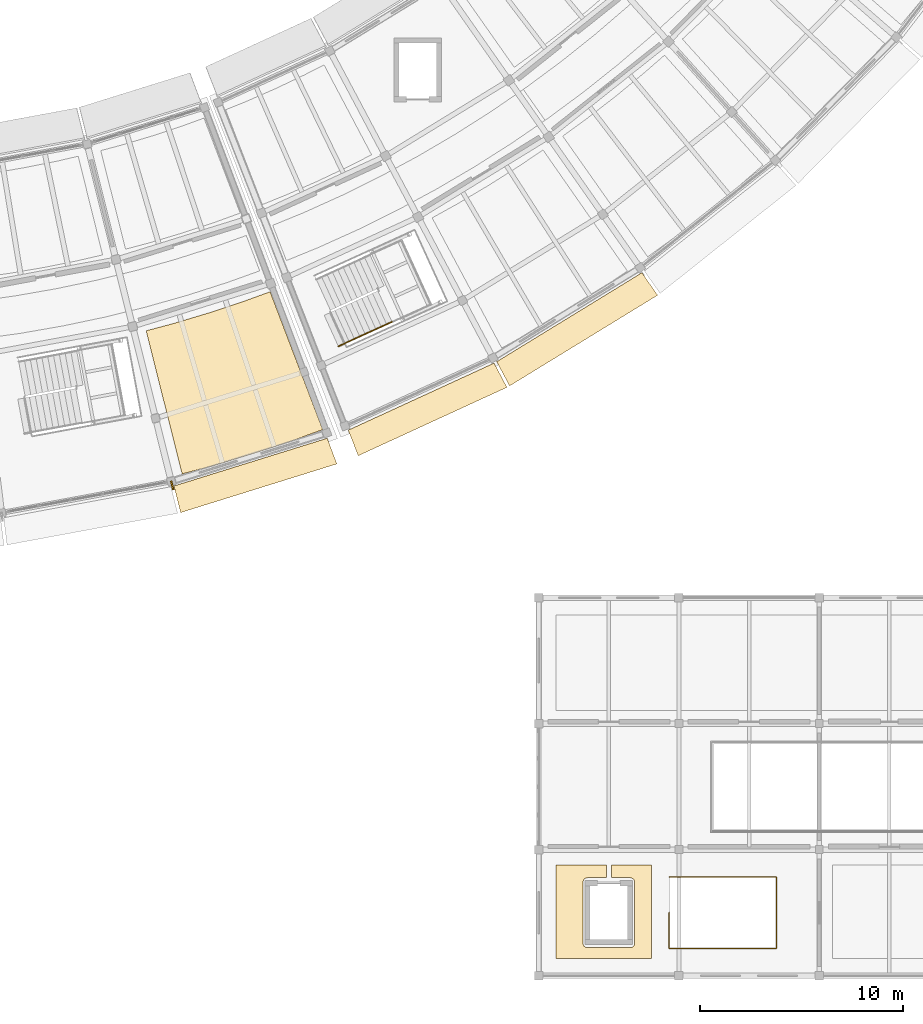
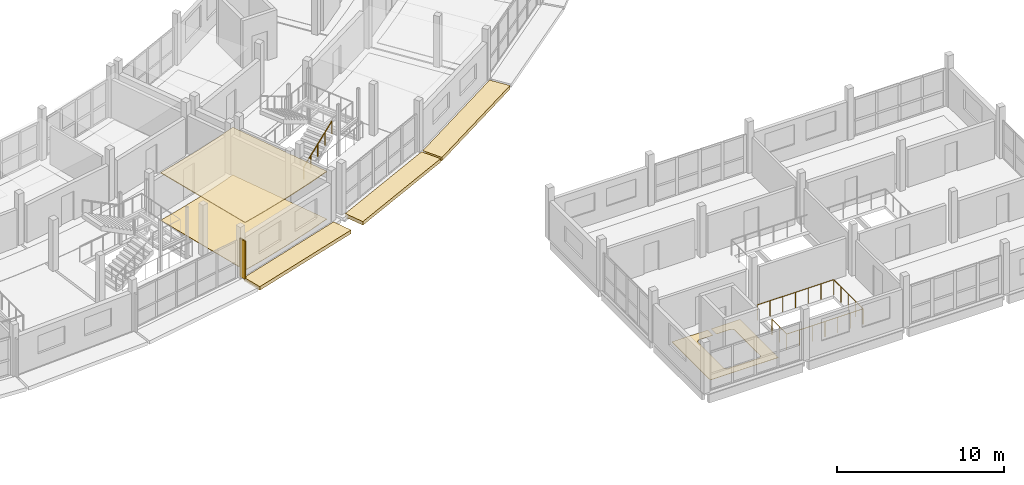
# One storey, part 71 of 77: 6 coverings, 2 railings, 1 shading device.
"""IFC4 building model written with IfcOpenShell, lengths in metres."""

from ifc_helpers import new_model, si_unit, direction, frame, origin, origin_2d, place, context, subcontext, project, spatial, polyline, rectangle, circle, outline, extrude, material, layer, layer_set, type_object, element, save


model = new_model("IFC4")

# Units and contexts
model_context = context("Model", 3, precision=1e-05, world=origin(), true_north=direction((0.0, 1.0)))
body_context = subcontext(model_context, "Body", "Model", "MODEL_VIEW")
ifc_project = project(units=[si_unit("LENGTHUNIT", "METRE"), si_unit("AREAUNIT", "SQUARE_METRE"), si_unit("VOLUMEUNIT", "CUBIC_METRE"), si_unit("PLANEANGLEUNIT", "RADIAN"), si_unit("MASSUNIT", "GRAM", prefix="KILO")], contexts=[model_context])

# Site, building, storey
site_placement = place(None, origin())
site = spatial("IfcSite", under=ifc_project, at=site_placement, CompositionType="ELEMENT")
building_placement = place(site_placement, origin())
building = spatial("IfcBuilding", under=site, at=building_placement, Name="Caldaven Crescent School", CompositionType="ELEMENT")
storey_placement = place(building_placement, frame((0.0, 0.0, 4.419921875)))
storey = spatial("IfcBuildingStorey", under=building, at=storey_placement, Name="L01", CompositionType="ELEMENT", Elevation=4.419921875)

# Coverings
ifc_material_1 = material(Name="White architectural GFRC precast concrete C35/45 cladding", Category="concrete")
ifc_layer_1 = layer(ifc_material_1, 0.260009765625)
ifc_layer_set_1 = layer_set([ifc_layer_1], Name="White architectural GFRC precast concrete C35/45 cladding")
covering_type_1 = type_object("IfcCoveringType", Name="COV-CLD1", PredefinedType="CLADDING", material=ifc_layer_set_1)
covering_1_placement = place(storey_placement, frame((0.0, 0.0, -0.260009765625)))
element("IfcCovering", 1, at=covering_1_placement, inside=storey, type_object=covering_type_1, Name="CLD-OUT-L01-022", PredefinedType="CLADDING", context=body_context, shape_type="SweptSolid", body=[
    extrude(outline(polyline([(104.95703125, 28.291015625), (112.496337890625, 30.6396484375), (112.97021484375, 29.37548828125), (105.284912109375, 26.9814453125), (104.95703125, 28.291015625)])), origin(), (0.0, 0.0, 1.0), 0.260009765625),
])
ifc_layer_2 = layer(ifc_material_1, 0.260009765625)
ifc_layer_set_2 = layer_set([ifc_layer_2], Name="White architectural GFRC precast concrete C35/45 cladding")
covering_type_2 = type_object("IfcCoveringType", Name="COV-CLD2", PredefinedType="CLADDING", material=ifc_layer_set_2)
covering_2_placement = place(storey_placement, frame((0.0, 0.0, -0.260009765625)))
element("IfcCovering", 2, at=covering_2_placement, inside=storey, type_object=covering_type_2, Name="CLD-OUT-L01-024", PredefinedType="CLADDING", context=body_context, shape_type="SweptSolid", body=[
    extrude(outline(polyline([(113.5302734375, 31.03662109375), (120.70458984375, 34.3359375), (121.337158203125, 33.143310546875), (114.02392578125, 29.780029296875), (113.5302734375, 31.03662109375)])), origin(), (0.0, 0.0, 1.0), 0.260009765625),
])
covering_3_placement = place(storey_placement, frame((0.0, 0.0, -0.260009765625)))
element("IfcCovering", 3, at=covering_3_placement, inside=storey, type_object=covering_type_2, Name="CLD-OUT-L01-026", PredefinedType="CLADDING", context=body_context, shape_type="SweptSolid", body=[
    extrude(outline(polyline([(120.833740234375, 34.404541015625), (127.975830078125, 38.78125), (128.7490234375, 37.674560546875), (121.46875, 33.21337890625), (120.833740234375, 34.404541015625)])), origin(), (0.0, 0.0, 1.0), 0.260009765625),
])
ifc_material_2 = material(Name="Perforated Pino Radiata acoustic timber baffle ceiling", Category="wood")
ifc_layer_3 = layer(ifc_material_2, 0.053955078125)
ifc_layer_set_3 = layer_set([ifc_layer_3], Name="Perforated Pino Radiata acoustic timber baffle ceiling")
covering_type_3 = type_object("IfcCoveringType", Name="COV-CLG4", PredefinedType="CEILING", material=ifc_layer_set_3)
covering_4_placement = place(storey_placement, frame((0.0, 0.0, 3.466064453125)))
element("IfcCovering", 4, at=covering_4_placement, inside=storey, type_object=covering_type_3, Name="CLG-L01-131", PredefinedType="CEILING", context=body_context, shape_type="SweptSolid", body=[
    extrude(outline(polyline([(104.910400390625, 36.278076171875), (104.923095703125, 36.281494140625), (106.658447265625, 36.80078125), (106.671142578125, 36.804931640625), (108.390380859375, 37.375), (108.40283203125, 37.379150390625), (109.68798828125, 37.84765625), (112.274169921875, 31.06396484375), (110.7822265625, 30.520263671875), (108.847900390625, 29.87890625), (106.8955078125, 29.294677734375), (105.361572265625, 28.884521484375), (103.589111328125, 35.924560546875), (104.910400390625, 36.278076171875)])), origin(), (0.0, 0.0, 1.0), 0.053955078125),
])
ifc_material_3 = material(Name="Polished terrazzo and acoustic linoleum flooring")
ifc_layer_4 = layer(ifc_material_3, 0.02001953125)
ifc_layer_set_4 = layer_set([ifc_layer_4], Name="Polished terrazzo and acoustic linoleum flooring")
covering_type_4 = type_object("IfcCoveringType", Name="COV-FLR1", PredefinedType="FLOORING", material=ifc_layer_set_4)
covering_5_placement = place(storey_placement, origin())
element("IfcCovering", 5, at=covering_5_placement, inside=storey, type_object=covering_type_4, Name="FLR-L01-036", PredefinedType="FLOORING", context=body_context, shape_type="SweptSolid", body=[
    extrude(outline(polyline([(126.22998046875, 9.64990234375), (126.22998046875, 9.02001953125), (125.300048828125, 9.02001953125), (125.2783203125, 9.018798828125), (125.257080078125, 9.015869140625), (125.236083984375, 9.010498046875), (125.2158203125, 9.00341796875), (125.1962890625, 8.993896484375), (125.177734375, 8.98291015625), (125.160400390625, 8.97021484375), (125.144287109375, 8.95556640625), (125.1298828125, 8.939697265625), (125.1171875, 8.922119140625), (125.10595703125, 8.90380859375), (125.0966796875, 8.88427734375), (125.089599609375, 8.864013671875), (125.084228515625, 8.843017578125), (125.0810546875, 8.821533203125), (125.080078125, 8.800048828125), (125.080078125, 5.800048828125), (125.0810546875, 5.7783203125), (125.084228515625, 5.757080078125), (125.089599609375, 5.736083984375), (125.0966796875, 5.7158203125), (125.10595703125, 5.6962890625), (125.1171875, 5.677734375), (125.1298828125, 5.660400390625), (125.144287109375, 5.644287109375), (125.160400390625, 5.6298828125), (125.177734375, 5.6171875), (125.1962890625, 5.60595703125), (125.2158203125, 5.5966796875), (125.236083984375, 5.589599609375), (125.257080078125, 5.584228515625), (125.2783203125, 5.5810546875), (125.300048828125, 5.580078125), (127.39990234375, 5.580078125), (127.421630859375, 5.5810546875), (127.44287109375, 5.584228515625), (127.4638671875, 5.589599609375), (127.484130859375, 5.5966796875), (127.503662109375, 5.60595703125), (127.522216796875, 5.6171875), (127.53955078125, 5.6298828125), (127.5556640625, 5.644287109375), (127.570068359375, 5.660400390625), (127.5830078125, 5.677734375), (127.593994140625, 5.6962890625), (127.603271484375, 5.7158203125), (127.610595703125, 5.736083984375), (127.61572265625, 5.757080078125), (127.618896484375, 5.7783203125), (127.6201171875, 5.800048828125), (127.6201171875, 8.800048828125), (127.618896484375, 8.821533203125), (127.61572265625, 8.843017578125), (127.610595703125, 8.864013671875), (127.603271484375, 8.88427734375), (127.593994140625, 8.90380859375), (127.5830078125, 8.922119140625), (127.570068359375, 8.939697265625), (127.5556640625, 8.95556640625), (127.53955078125, 8.97021484375), (127.522216796875, 8.98291015625), (127.503662109375, 8.993896484375), (127.484130859375, 9.00341796875), (127.4638671875, 9.010498046875), (127.44287109375, 9.015869140625), (127.421630859375, 9.018798828125), (127.39990234375, 9.02001953125), (126.469970703125, 9.02001953125), (126.469970703125, 9.64990234375), (128.449951171875, 9.64990234375), (128.449951171875, 5.050048828125), (123.75, 5.050048828125), (123.75, 9.64990234375), (126.22998046875, 9.64990234375)])), origin(), (0.0, 0.0, 1.0), 0.02001953125),
])
ifc_layer_5 = layer(ifc_material_3, 0.031982421875)
ifc_layer_set_5 = layer_set([ifc_layer_5], Name="Polished terrazzo and acoustic linoleum flooring")
covering_type_5 = type_object("IfcCoveringType", Name="COV-FLR3", PredefinedType="FLOORING", material=ifc_layer_set_5)
covering_6_placement = place(storey_placement, origin())
element("IfcCovering", 6, at=covering_6_placement, inside=storey, type_object=covering_type_5, Name="FLR-L01-131", PredefinedType="FLOORING", context=body_context, shape_type="SweptSolid", body=[
    extrude(outline(polyline([(103.589111328125, 35.924560546875), (104.910400390625, 36.278076171875), (104.923095703125, 36.281494140625), (106.658447265625, 36.80078125), (106.671142578125, 36.804931640625), (108.390380859375, 37.375), (108.40283203125, 37.379150390625), (109.68798828125, 37.84765625), (112.274169921875, 31.06396484375), (110.7822265625, 30.520263671875), (108.847900390625, 29.87890625), (106.8955078125, 29.294677734375), (105.361572265625, 28.884521484375), (103.589111328125, 35.924560546875)])), origin(), (0.0, 0.0, 1.0), 0.031982421875),
])

# Railings
ifc_material_4 = material(Name="Brushed stainless-steel continuous tubular handrail", Category="steel")
railing_type_1 = type_object("IfcRailingType", Name="RAL-HR3", PredefinedType="HANDRAIL", material=ifc_material_4)
railing_1_placement = place(storey_placement, frame((113.043701171875, 35.162841796875, 0.173095703125)))
element("IfcRailing", 7, at=railing_1_placement, inside=storey, type_object=railing_type_1, Name="HR-ST4-L01-F1", PredefinedType="HANDRAIL", context=body_context, shape_type="SweptSolid", body=[
    extrude(circle(Radius=0.02392578125, at=origin_2d()), frame((0.0, 0.0, 0.89599609375), z_axis=(0.785048939612, 0.357698772096, 0.505717066011), x_axis=(-0.414627358551, 0.909991293113, 0.0)), (0.0, 0.0, 1.0), 3.361572265625),
    extrude(circle(Radius=0.02099609375, at=origin_2d()), origin(), (0.0, 0.0, 1.0), 0.871826171875),
    extrude(circle(Radius=0.02099609375, at=origin_2d()), frame((0.65966796875, 0.300537109375, 0.425048828125)), (0.0, 0.0, 1.0), 0.871826171875),
    extrude(circle(Radius=0.02099609375, at=origin_2d()), frame((1.3193359375, 0.60107421875, 0.85009765625)), (0.0, 0.0, 1.0), 0.871826171875),
    extrude(circle(Radius=0.02099609375, at=origin_2d()), frame((1.979248046875, 0.90185546875, 1.27490234375)), (0.0, 0.0, 1.0), 0.871826171875),
    extrude(circle(Radius=0.02099609375, at=origin_2d()), frame((2.638916015625, 1.202392578125, 1.699951171875)), (0.0, 0.0, 1.0), 0.871826171875),
])
ifc_material_5 = material(Name="Powder-coated tubular steel balustrade ASTM A572 Grade 50", Category="steel")
railing_type_2 = type_object("IfcRailingType", Name="RAL-INT3", PredefinedType="BALUSTRADE", material=ifc_material_5)
railing_2_placement = place(storey_placement, frame((129.318115234375, 7.320068359375, 0.0)))
element("IfcRailing", 8, at=railing_2_placement, inside=storey, type_object=railing_type_2, Name="GD-WELL-STV3-L01", PredefinedType="BALUSTRADE", context=body_context, shape_type="SweptSolid", body=[
    extrude(circle(Radius=0.02392578125, at=origin_2d()), frame((0.0, 0.0, 1.1259765625), z_axis=(0.0, -1.0, 0.0), x_axis=(1.0, 0.0, 0.0)), (0.0, 0.0, 1.0), 1.780029296875),
    extrude(circle(Radius=0.02392578125, at=origin_2d()), frame((0.0, -1.780029296875, 1.1259765625), z_axis=(1.0, 0.0, 0.0), x_axis=(0.0, 1.0, 0.0)), (0.0, 0.0, 1.0), 5.27197265625),
    extrude(circle(Radius=0.02392578125, at=origin_2d()), frame((5.27197265625, -1.780029296875, 1.1259765625), z_axis=(0.0, 1.0, 0.0), x_axis=(-1.0, 0.0, 0.0)), (0.0, 0.0, 1.0), 3.52001953125),
    extrude(circle(Radius=0.02392578125, at=origin_2d()), frame((5.27197265625, 1.739990234375, 1.1259765625), z_axis=(-1.0, 0.0, 0.0), x_axis=(0.0, -1.0, 0.0)), (0.0, 0.0, 1.0), 5.27197265625),
    extrude(circle(Radius=0.02099609375, at=origin_2d()), origin(), (0.0, 0.0, 1.0), 1.101806640625),
    extrude(circle(Radius=0.02099609375, at=origin_2d()), frame((0.0, -0.89013671875, 0.0)), (0.0, 0.0, 1.0), 1.101806640625),
    extrude(circle(Radius=0.02099609375, at=origin_2d()), frame((0.0, -1.780029296875, 0.0)), (0.0, 0.0, 1.0), 1.101806640625),
    extrude(circle(Radius=0.02099609375, at=origin_2d()), frame((0.878662109375, -1.780029296875, 0.0)), (0.0, 0.0, 1.0), 1.101806640625),
    extrude(circle(Radius=0.02099609375, at=origin_2d()), frame((1.75732421875, -1.780029296875, 0.0)), (0.0, 0.0, 1.0), 1.101806640625),
    extrude(circle(Radius=0.02099609375, at=origin_2d()), frame((2.635986328125, -1.780029296875, 0.0)), (0.0, 0.0, 1.0), 1.101806640625),
    extrude(circle(Radius=0.02099609375, at=origin_2d()), frame((3.5146484375, -1.780029296875, 0.0)), (0.0, 0.0, 1.0), 1.101806640625),
    extrude(circle(Radius=0.02099609375, at=origin_2d()), frame((4.393310546875, -1.780029296875, 0.0)), (0.0, 0.0, 1.0), 1.101806640625),
    extrude(circle(Radius=0.02099609375, at=origin_2d()), frame((5.27197265625, -1.780029296875, 0.0)), (0.0, 0.0, 1.0), 1.101806640625),
    extrude(circle(Radius=0.02099609375, at=origin_2d()), frame((5.27197265625, -0.89990234375, 0.0)), (0.0, 0.0, 1.0), 1.101806640625),
    extrude(circle(Radius=0.02099609375, at=origin_2d()), frame((5.27197265625, -0.02001953125, 0.0)), (0.0, 0.0, 1.0), 1.101806640625),
    extrude(circle(Radius=0.02099609375, at=origin_2d()), frame((5.27197265625, 0.85986328125, 0.0)), (0.0, 0.0, 1.0), 1.101806640625),
    extrude(circle(Radius=0.02099609375, at=origin_2d()), frame((5.27197265625, 1.739990234375, 0.0)), (0.0, 0.0, 1.0), 1.101806640625),
    extrude(circle(Radius=0.02099609375, at=origin_2d()), frame((4.393310546875, 1.739990234375, 0.0)), (0.0, 0.0, 1.0), 1.101806640625),
    extrude(circle(Radius=0.02099609375, at=origin_2d()), frame((3.5146484375, 1.739990234375, 0.0)), (0.0, 0.0, 1.0), 1.101806640625),
    extrude(circle(Radius=0.02099609375, at=origin_2d()), frame((2.635986328125, 1.739990234375, 0.0)), (0.0, 0.0, 1.0), 1.101806640625),
    extrude(circle(Radius=0.02099609375, at=origin_2d()), frame((1.75732421875, 1.739990234375, 0.0)), (0.0, 0.0, 1.0), 1.101806640625),
    extrude(circle(Radius=0.02099609375, at=origin_2d()), frame((0.878662109375, 1.739990234375, 0.0)), (0.0, 0.0, 1.0), 1.101806640625),
    extrude(circle(Radius=0.02099609375, at=origin_2d()), frame((0.0, 1.739990234375, 0.0)), (0.0, 0.0, 1.0), 1.101806640625),
])

# Shading device
ifc_material_6 = material(Name="Bronze-anodised aluminium AA 6063-T6 sunshade", Category="aluminium")
ifc_layer_6 = layer(ifc_material_6, 0.080078125)
ifc_layer_set_6 = layer_set([ifc_layer_6], Name="Bronze-anodised aluminium AA 6063-T6 sunshade")
shading_device_type = type_object("IfcShadingDeviceType", Name="SHD-S04", PredefinedType="JALOUSIE", material=ifc_layer_set_6)
shading_device_placement = place(storey_placement, frame((104.8740234375, 28.32177734375, 0.0), z_axis=(0.0, 0.0, 1.0), x_axis=(0.2419218956, -0.970295726276, 0.0)))
element("IfcShadingDevice", 9, at=shading_device_placement, inside=storey, type_object=shading_device_type, Name="SHD-FIN-L01-017", PredefinedType="JALOUSIE", context=body_context, shape_type="SweptSolid", body=[
    extrude(rectangle(XDim=0.449951171875, YDim=0.080078125, at=origin_2d()), origin(), (0.0, 0.0, 1.0), 2.780029296875),
])

save(model, "model.ifc")
